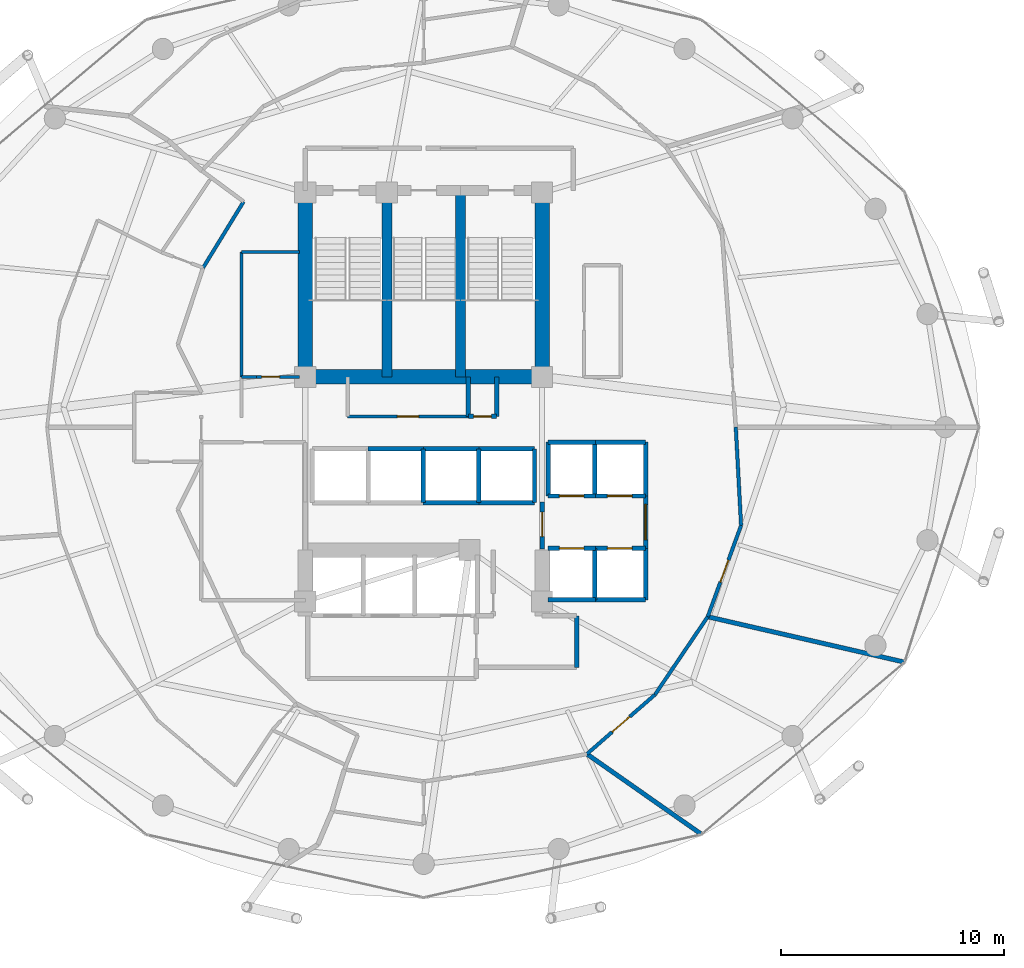
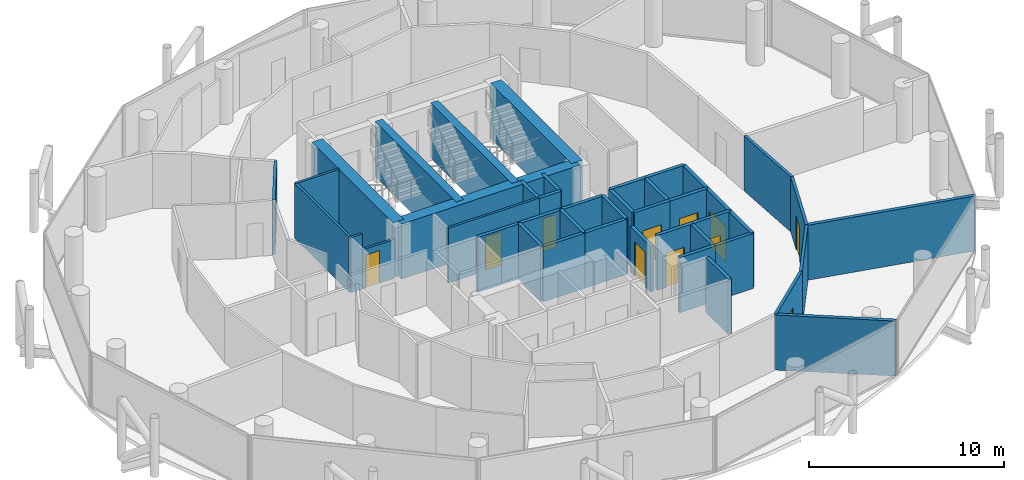
# One storey, part 23 of 26: 44 walls, 11 doors, 11 openings.
"""IFC4 building model written with IfcOpenShell, lengths in metres."""

from ifc_helpers import new_model, si_unit, direction, frame, frame_2d, origin, place, context, subcontext, project, spatial, rectangle, extrude, material, layer, layer_set, type_object, element, fill, save


model = new_model("IFC4")

# Units and contexts
model_context = context("Model", 3, precision=1e-05, world=origin(), true_north=direction((0.0, 1.0)))
body_context = subcontext(model_context, "Body", "Model", "MODEL_VIEW")
ifc_project = project(units=[si_unit("LENGTHUNIT", "METRE"), si_unit("AREAUNIT", "SQUARE_METRE"), si_unit("VOLUMEUNIT", "CUBIC_METRE"), si_unit("PLANEANGLEUNIT", "RADIAN"), si_unit("MASSUNIT", "GRAM", prefix="KILO")], contexts=[model_context])

# Site, building, storey
site_placement = place(None, origin())
site = spatial("IfcSite", under=ifc_project, at=site_placement, CompositionType="ELEMENT")
building_placement = place(site_placement, origin())
building = spatial("IfcBuilding", under=site, at=building_placement, Name="Nuhasar Tower", CompositionType="ELEMENT")
storey_placement = place(building_placement, frame((0.0, 0.0, 151.550048828125)))
storey = spatial("IfcBuildingStorey", under=building, at=storey_placement, Name="L36", CompositionType="ELEMENT", Elevation=151.550048828125)

# Walls
ifc_material_1 = material(Name="Concrete C50/60", Category="concrete")
ifc_layer_1 = layer(ifc_material_1, 0.449951171875)
ifc_layer_set_1 = layer_set([ifc_layer_1], Name="Concrete C50/60")
wall_type_1 = type_object("IfcWallType", Name="WL-CORE-450", PredefinedType="SHEAR", material=ifc_layer_set_1)
for number, where, z_axis, x_axis, name in (
    (1, (37.35009765625, 29.050048828125, 0.0), (0.0, 0.0, 1.0), (0.0, 1.0, 0.0), "L36 Stairwell Shear Wall ST01-E"),
    (2, (40.64990234375, 29.050048828125, 0.0), (0.0, 0.0, 1.0), (0.0, 1.0, 0.0), "L36 Stairwell Shear Wall ST03-E"),
):
    element("IfcWall", number, at=place(storey_placement, frame(where, z_axis=z_axis, x_axis=x_axis)), inside=storey, type_object=wall_type_1, Name=name, PredefinedType="SHEAR", context=body_context, shape_type="SweptSolid", body=[
        extrude(rectangle(XDim=8.349853515625, YDim=0.449951171875, at=frame_2d((4.1748046875, 0.0))), origin(), (0.0, 0.0, 1.0), 3.449951171875),
    ])
ifc_material_2 = material(Name="Concrete C65/80", Category="concrete")
ifc_layer_2 = layer(ifc_material_2, 0.64990234375)
ifc_layer_set_2 = layer_set([ifc_layer_2], Name="Concrete C65/80")
wall_type_2 = type_object("IfcWallType", Name="WL-CORE-650", PredefinedType="SHEAR", material=ifc_layer_set_2)
for number, where, z_axis, x_axis, name in (
    (3, (33.699951171875, 29.050048828125, 0.0), (0.0, 0.0, 1.0), (0.0, 1.0, 0.0), "L36 Core Shear Wall CW-NW CW-650"),
    (4, (44.300048828125, 29.050048828125, 0.0), (0.0, 0.0, 1.0), (0.0, 1.0, 0.0), "L36 Core Shear Wall CW-NE CW-650"),
):
    element("IfcWall", number, at=place(storey_placement, frame(where, z_axis=z_axis, x_axis=x_axis)), inside=storey, type_object=wall_type_2, Name=name, PredefinedType="SHEAR", context=body_context, shape_type="SweptSolid", body=[
        extrude(rectangle(XDim=8.349853515625, YDim=0.64990234375, at=frame_2d((4.1748046875, 0.0))), origin(), (0.0, 0.0, 1.0), 3.449951171875),
    ])
wall_1_placement = place(storey_placement, frame((33.699951171875, 29.050048828125, 0.0), z_axis=(0.0, 0.0, 1.0), x_axis=(1.0, 0.0, 0.0)))
element("IfcWall", 5, at=wall_1_placement, inside=storey, type_object=wall_type_2, Name="L36 Core Shear Wall CW-N1 CW-650", PredefinedType="SHEAR", context=body_context, shape_type="SweptSolid", body=[
    extrude(rectangle(XDim=10.60009765625, YDim=0.64990234375, at=frame_2d((5.300048828125, 0.0))), origin(), (0.0, 0.0, 1.0), 3.449951171875),
])

# Wall, opening, door
ifc_material_3 = material(Name="Gypsum Board", Category="gypsum")
ifc_layer_3 = layer(ifc_material_3, 0.159912109375)
ifc_layer_set_3 = layer_set([ifc_layer_3], Name="Gypsum Board")
wall_type_3 = type_object("IfcWallType", Name="WL-CORR-160", PredefinedType="PARTITIONING", material=ifc_layer_set_3)
wall_2_placement = place(storey_placement, frame((49.35595703125, 14.8291015625, 0.0), z_axis=(0.0, 0.0, 1.0), x_axis=(-0.753648555006, -0.657277609186, 0.0)))
wall_2 = element("IfcWall", 6, at=wall_2_placement, inside=storey, type_object=wall_type_3, Name="L36 Interior Partition CORR-40", PredefinedType="PARTITIONING", context=body_context, shape_type="SweptSolid", body=[
    extrude(rectangle(XDim=4.045654296875, YDim=0.159912109375, at=frame_2d((2.02294921875, 0.0))), origin(), (0.0, 0.0, 1.0), 3.449951171875),
])
opening_1_placement = place(wall_2_placement, frame((1.498046875, 0.0, 0.0)))
opening_1 = element("IfcOpeningElement", 7, at=opening_1_placement, cuts=wall_2, Name="Opening DU-01", PredefinedType="OPENING", context=body_context, shape_type="SweptSolid", body=[
    extrude(rectangle(XDim=1.050048828125, YDim=2.14990234375, at=frame_2d((0.52490234375, 1.074951171875))), frame((0.0, 0.08984375, 0.0), z_axis=(0.0, -1.0, 0.0), x_axis=(1.0, 0.0, 0.0)), (0.0, 0.0, 1.0), 0.179931640625),
])
ifc_material_4 = material(Name="Timber Oak", Category="wood")
door_type_1 = type_object("IfcDoorType", Name="DR-SUITE-FD60-1050", OperationType="NOTDEFINED", PredefinedType="DOOR", material=ifc_material_4)
door_1_placement = place(opening_1_placement, origin())
door_1 = element("IfcDoor", 8, at=door_1_placement, inside=storey, type_object=door_type_1, Name="L36 Longevity Spa Treatment Clinic 1 Entrance Door", OperationType="SINGLE_SWING_LEFT", OverallHeight=2.14990234375, OverallWidth=1.050048828125, PredefinedType="DOOR", context=body_context, shape_type="SweptSolid", body=[
    extrude(rectangle(XDim=1.050048828125, YDim=2.14990234375, at=frame_2d((0.52490234375, 1.074951171875))), frame((0.0, 0.02490234375, 0.0), z_axis=(0.0, -1.0, 0.0), x_axis=(1.0, 0.0, 0.0)), (0.0, 0.0, 1.0), 0.050048828125),
])
fill(opening_1, door_1)

# Wall
wall_3_placement = place(storey_placement, frame((49.35595703125, 14.8291015625, 0.0), z_axis=(0.0, 0.0, 1.0), x_axis=(0.560323414083, 0.828273910992, 0.0)))
element("IfcWall", 9, at=wall_3_placement, inside=storey, type_object=wall_type_3, Name="L36 Interior Partition CORR-42", PredefinedType="PARTITIONING", context=body_context, shape_type="SweptSolid", body=[
    extrude(rectangle(XDim=4.20849609375, YDim=0.159912109375, at=frame_2d((2.104248046875, 0.0))), origin(), (0.0, 0.0, 1.0), 3.449951171875),
])

# Wall, opening, door
wall_4_placement = place(storey_placement, frame((53.2080078125, 22.39892578125, 0.0), z_axis=(0.0, 0.0, 1.0), x_axis=(-0.343532016379, -0.939140965842, 0.0)))
wall_4 = element("IfcWall", 10, at=wall_4_placement, inside=storey, type_object=wall_type_3, Name="L36 Interior Partition CORR-44", PredefinedType="PARTITIONING", context=body_context, shape_type="SweptSolid", body=[
    extrude(rectangle(XDim=4.3486328125, YDim=0.159912109375, at=frame_2d((2.17431640625, 0.0))), origin(), (0.0, 0.0, 1.0), 3.449951171875),
])
opening_2_placement = place(wall_4_placement, frame((1.64892578125, 0.0, 0.0)))
opening_2 = element("IfcOpeningElement", 11, at=opening_2_placement, cuts=wall_4, Name="Opening DU-01", PredefinedType="OPENING", context=body_context, shape_type="SweptSolid", body=[
    extrude(rectangle(XDim=1.050048828125, YDim=2.14990234375, at=frame_2d((0.52490234375, 1.074951171875))), frame((0.0, 0.08984375, 0.0), z_axis=(0.0, -1.0, 0.0), x_axis=(1.0, 0.0, 0.0)), (0.0, 0.0, 1.0), 0.179931640625),
])
door_2_placement = place(opening_2_placement, origin())
door_2 = element("IfcDoor", 12, at=door_2_placement, inside=storey, type_object=door_type_1, Name="L36 Hydrotherapy Consult Clinic 2 Entrance Door", OperationType="SINGLE_SWING_LEFT", OverallHeight=2.14990234375, OverallWidth=1.050048828125, PredefinedType="DOOR", context=body_context, shape_type="SweptSolid", body=[
    extrude(rectangle(XDim=1.050048828125, YDim=2.14990234375, at=frame_2d((0.52490234375, 1.074951171875))), frame((0.0, 0.02490234375, 0.0), z_axis=(0.0, -1.0, 0.0), x_axis=(1.0, 0.0, 0.0)), (0.0, 0.0, 1.0), 0.050048828125),
])
fill(opening_2, door_2)

# Walls
wall_5_placement = place(storey_placement, frame((53.2080078125, 22.39892578125, 0.0), z_axis=(0.0, 0.0, 1.0), x_axis=(-0.054006604754, 0.998540578366, 0.0)))
element("IfcWall", 13, at=wall_5_placement, inside=storey, type_object=wall_type_3, Name="L36 Interior Partition CORR-46", PredefinedType="PARTITIONING", context=body_context, shape_type="SweptSolid", body=[
    extrude(rectangle(XDim=4.407470703125, YDim=0.159912109375, at=frame_2d((2.20361328125, 0.0))), origin(), (0.0, 0.0, 1.0), 3.449951171875),
])
wall_6_placement = place(storey_placement, frame((30.93896484375, 36.89697265625, 0.0), z_axis=(0.0, 0.0, 1.0), x_axis=(-0.522486120877, -0.852647789823, 0.0)))
element("IfcWall", 14, at=wall_6_placement, inside=storey, type_object=wall_type_3, Name="L36 Interior Partition HWEST-CORE-N-18", PredefinedType="PARTITIONING", context=body_context, shape_type="SweptSolid", body=[
    extrude(rectangle(XDim=3.468017578125, YDim=0.159912109375, at=frame_2d((1.73388671875, 0.0))), origin(), (0.0, 0.0, 1.0), 3.449951171875),
])

# Wall, opening, door
ifc_material_5 = material(Name="Concrete C45/55", Category="concrete")
ifc_layer_4 = layer(ifc_material_5, 0.199951171875)
ifc_layer_set_4 = layer_set([ifc_layer_4], Name="Concrete C45/55")
wall_type_4 = type_object("IfcWallType", Name="WL-LOBBY-200", PredefinedType="SOLIDWALL", material=ifc_layer_set_4)
wall_7_placement = place(storey_placement, frame((48.929931640625, 21.3798828125, 0.0), z_axis=(0.0, 0.0, 1.0), x_axis=(0.0, 1.0, 0.0)))
wall_7 = element("IfcWall", 15, at=wall_7_placement, inside=storey, type_object=wall_type_4, Name="L36 Interior Partition LLBM-E", PredefinedType="SOLIDWALL", context=body_context, shape_type="SweptSolid", body=[
    extrude(rectangle(XDim=2.340087890625, YDim=0.199951171875, at=frame_2d((1.169921875, 0.0))), origin(), (0.0, 0.0, 1.0), 3.449951171875),
])
opening_3_placement = place(wall_7_placement, frame((0.3701171875, 0.0, 0.0)))
opening_3 = element("IfcOpeningElement", 16, at=opening_3_placement, cuts=wall_7, Name="Opening DC-01", PredefinedType="OPENING", context=body_context, shape_type="SweptSolid", body=[
    extrude(rectangle(XDim=1.60009765625, YDim=2.199951171875, at=frame_2d((0.800048828125, 1.10009765625))), frame((0.0, 0.10986328125, 0.0), z_axis=(0.0, -1.0, 0.0), x_axis=(1.0, 0.0, 0.0)), (0.0, 0.0, 1.0), 0.219970703125),
])
ifc_material_6 = material(Name="Steel S355", Category="steel")
door_type_2 = type_object("IfcDoorType", Name="DR-CORR-FD60-1600", OperationType="DOUBLE_DOOR_SINGLE_SWING", PredefinedType="DOOR", material=ifc_material_6)
door_3_placement = place(opening_3_placement, origin())
door_3 = element("IfcDoor", 17, at=door_3_placement, inside=storey, type_object=door_type_2, Name="L36 Mid-Rise Lift Lobby East Entry", OperationType="DOUBLE_DOOR_SINGLE_SWING", OverallHeight=2.199951171875, OverallWidth=1.60009765625, PredefinedType="DOOR", context=body_context, shape_type="SweptSolid", body=[
    extrude(rectangle(XDim=1.60009765625, YDim=2.199951171875, at=frame_2d((0.800048828125, 1.10009765625))), frame((0.0, 0.02490234375, 0.0), z_axis=(0.0, -1.0, 0.0), x_axis=(1.0, 0.0, 0.0)), (0.0, 0.0, 1.0), 0.050048828125),
])
fill(opening_3, door_3)

wall_8_placement = place(storey_placement, frame((44.300048828125, 21.35009765625, 0.0), z_axis=(0.0, 0.0, 1.0), x_axis=(0.0, 1.0, 0.0)))
wall_8 = element("IfcWall", 18, at=wall_8_placement, inside=storey, type_object=wall_type_4, Name="L36 Interior Partition LLBH-E", PredefinedType="SOLIDWALL", context=body_context, shape_type="SweptSolid", body=[
    extrude(rectangle(XDim=2.099853515625, YDim=0.199951171875, at=frame_2d((1.0498046875, 0.0))), origin(), (0.0, 0.0, 1.0), 2.8349609375),
])
opening_4_placement = place(wall_8_placement, frame((0.550048828125, 0.0, 0.0)))
opening_4 = element("IfcOpeningElement", 19, at=opening_4_placement, cuts=wall_8, Name="Opening DS-02", PredefinedType="OPENING", context=body_context, shape_type="SweptSolid", body=[
    extrude(rectangle(XDim=1.10009765625, YDim=2.14990234375, at=frame_2d((0.550048828125, 1.074951171875))), frame((0.0, 0.10986328125, 0.0), z_axis=(0.0, -1.0, 0.0), x_axis=(1.0, 0.0, 0.0)), (0.0, 0.0, 1.0), 0.219970703125),
])
door_type_3 = type_object("IfcDoorType", Name="DR-FFL-FD120-1100", OperationType="NOTDEFINED", PredefinedType="DOOR", material=ifc_material_6)
door_4_placement = place(opening_4_placement, origin())
door_4 = element("IfcDoor", 20, at=door_4_placement, inside=storey, type_object=door_type_3, Name="L36 High-Rise Lobby East Door", OperationType="SINGLE_SWING_RIGHT", OverallHeight=2.14990234375, OverallWidth=1.10009765625, PredefinedType="DOOR", context=body_context, shape_type="SweptSolid", body=[
    extrude(rectangle(XDim=1.10009765625, YDim=2.14990234375, at=frame_2d((0.550048828125, 1.074951171875))), frame((0.0, 0.02490234375, 0.0), z_axis=(0.0, -1.0, 0.0), x_axis=(1.0, 0.0, 0.0)), (0.0, 0.0, 1.0), 0.050048828125),
])
fill(opening_4, door_4)

# Walls
wall_9_placement = place(storey_placement, frame((45.85009765625, 16.050048828125, 0.0), z_axis=(0.0, 0.0, 1.0), x_axis=(0.0, 1.0, 0.0)))
element("IfcWall", 21, at=wall_9_placement, inside=storey, type_object=wall_type_4, Name="L36 Interior Partition SVLV-E", PredefinedType="SOLIDWALL", context=body_context, shape_type="SweptSolid", body=[
    extrude(rectangle(XDim=2.300048828125, YDim=0.199951171875, at=frame_2d((1.14990234375, 0.0))), origin(), (0.0, 0.0, 1.0), 3.449951171875),
])
ifc_layer_5 = layer(ifc_material_5, 0.199951171875)
ifc_layer_set_5 = layer_set([ifc_layer_5], Name="Concrete C45/55")
wall_type_5 = type_object("IfcWallType", Name="WL-SHAFT-200", PredefinedType="SOLIDWALL", material=ifc_layer_set_5)
for number, where, z_axis, x_axis, name in (
    (22, (41.0, 27.280029296875, 0.0), (0.0, 0.0, 1.0), (0.0, 1.0, 0.0), "L36 Interior Partition RSRN-W"),
    (23, (42.260009765625, 27.280029296875, 0.0), (0.0, 0.0, 1.0), (0.0, 1.0, 0.0), "L36 Interior Partition RSRN-E"),
):
    element("IfcWall", number, at=place(storey_placement, frame(where, z_axis=z_axis, x_axis=x_axis)), inside=storey, type_object=wall_type_5, Name=name, PredefinedType="SOLIDWALL", context=body_context, shape_type="SweptSolid", body=[
        extrude(rectangle(XDim=1.77001953125, YDim=0.199951171875, at=frame_2d((0.885009765625, 0.0))), origin(), (0.0, 0.0, 1.0), 3.449951171875),
    ])

# Wall, opening, door
wall_10_placement = place(storey_placement, frame((41.0, 27.280029296875, 0.0), z_axis=(0.0, 0.0, 1.0), x_axis=(1.0, 0.0, 0.0)))
wall_10 = element("IfcWall", 24, at=wall_10_placement, inside=storey, type_object=wall_type_5, Name="L36 Interior Partition RSRN-S", PredefinedType="SOLIDWALL", context=body_context, shape_type="SweptSolid", body=[
    extrude(rectangle(XDim=1.260009765625, YDim=0.199951171875, at=frame_2d((0.6298828125, 0.0))), origin(), (0.0, 0.0, 1.0), 3.449951171875),
])
opening_5_placement = place(wall_10_placement, frame((0.22998046875, 0.0, 0.0)))
opening_5 = element("IfcOpeningElement", 25, at=opening_5_placement, cuts=wall_10, Name="Opening DM-01", PredefinedType="OPENING", context=body_context, shape_type="SweptSolid", body=[
    extrude(rectangle(XDim=0.800048828125, YDim=2.050048828125, at=frame_2d((0.39990234375, 1.02490234375))), frame((0.0, 0.10986328125, 0.0), z_axis=(0.0, -1.0, 0.0), x_axis=(1.0, 0.0, 0.0)), (0.0, 0.0, 1.0), 0.219970703125),
])
door_type_4 = type_object("IfcDoorType", Name="DR-RISER-FD60-800", OperationType="NOTDEFINED", PredefinedType="DOOR", material=ifc_material_6)
door_5_placement = place(opening_5_placement, origin())
door_5 = element("IfcDoor", 26, at=door_5_placement, inside=storey, type_object=door_type_4, Name="L36 North Smoke Riser Door", OperationType="SINGLE_SWING_RIGHT", OverallHeight=2.050048828125, OverallWidth=0.800048828125, PredefinedType="DOOR", context=body_context, shape_type="SweptSolid", body=[
    extrude(rectangle(XDim=0.800048828125, YDim=2.050048828125, at=frame_2d((0.39990234375, 1.02490234375))), frame((0.0, 0.02490234375, 0.0), z_axis=(0.0, -1.0, 0.0), x_axis=(1.0, 0.0, 0.0)), (0.0, 0.0, 1.0), 0.050048828125),
])
fill(opening_5, door_5)

wall_11_placement = place(storey_placement, frame((44.570068359375, 23.719970703125, 0.0), z_axis=(0.0, 0.0, 1.0), x_axis=(1.0, 0.0, 0.0)))
wall_11 = element("IfcWall", 27, at=wall_11_placement, inside=storey, type_object=wall_type_5, Name="L36 Interior Partition SHF-PL-M01-S", PredefinedType="SOLIDWALL", context=body_context, shape_type="SweptSolid", body=[
    extrude(rectangle(XDim=2.10986328125, YDim=0.199951171875, at=frame_2d((1.054931640625, 0.0))), origin(), (0.0, 0.0, 1.0), 3.449951171875),
])
opening_6_placement = place(wall_11_placement, frame((0.5048828125, 0.0, 0.0)))
opening_6 = element("IfcOpeningElement", 28, at=opening_6_placement, cuts=wall_11, Name="Opening LD-M01", PredefinedType="OPENING", context=body_context, shape_type="SweptSolid", body=[
    extrude(rectangle(XDim=1.10009765625, YDim=2.14990234375, at=frame_2d((0.550048828125, 1.074951171875))), frame((0.0, 0.10986328125, 0.0), z_axis=(0.0, -1.0, 0.0), x_axis=(1.0, 0.0, 0.0)), (0.0, 0.0, 1.0), 0.219970703125),
])
ifc_material_7 = material(Name="Stainless Steel 316L", Category="steel")
door_type_5 = type_object("IfcDoorType", Name="LD-PAX-1100", OperationType="DOUBLE_DOOR_SLIDING", PredefinedType="DOOR", material=ifc_material_7)
door_6_placement = place(opening_6_placement, origin())
door_6 = element("IfcDoor", 29, at=door_6_placement, inside=storey, type_object=door_type_5, Name="L36 Lift Landing Door PL-M01", OperationType="DOUBLE_DOOR_SLIDING", OverallHeight=2.14990234375, OverallWidth=1.10009765625, PredefinedType="DOOR", context=body_context, shape_type="SweptSolid", body=[
    extrude(rectangle(XDim=1.10009765625, YDim=2.14990234375, at=frame_2d((0.550048828125, 1.074951171875))), frame((0.0, 0.02490234375, 0.0), z_axis=(0.0, -1.0, 0.0), x_axis=(1.0, 0.0, 0.0)), (0.0, 0.0, 1.0), 0.050048828125),
])
fill(opening_6, door_6)

# Walls
wall_12_placement = place(storey_placement, frame((44.570068359375, 26.1298828125, 0.0), z_axis=(0.0, 0.0, 1.0), x_axis=(1.0, 0.0, 0.0)))
element("IfcWall", 30, at=wall_12_placement, inside=storey, type_object=wall_type_5, Name="L36 Interior Partition SHF-PL-M01-N", PredefinedType="SOLIDWALL", context=body_context, shape_type="SweptSolid", body=[
    extrude(rectangle(XDim=2.10986328125, YDim=0.199951171875, at=frame_2d((1.054931640625, 0.0))), origin(), (0.0, 0.0, 1.0), 3.449951171875),
])
for number, where, z_axis, x_axis, name in (
    (31, (44.570068359375, 23.719970703125, 0.0), (0.0, 0.0, 1.0), (0.0, 1.0, 0.0), "L36 Interior Partition SHF-PL-M01-W"),
    (32, (46.64990234375, 23.719970703125, 0.0), (0.0, 0.0, 1.0), (0.0, 1.0, 0.0), "L36 Interior Partition SHF-PL-M01-E"),
):
    element("IfcWall", number, at=place(storey_placement, frame(where, z_axis=z_axis, x_axis=x_axis)), inside=storey, type_object=wall_type_5, Name=name, PredefinedType="SOLIDWALL", context=body_context, shape_type="SweptSolid", body=[
        extrude(rectangle(XDim=2.409912109375, YDim=0.199951171875, at=frame_2d((1.205078125, 0.0))), origin(), (0.0, 0.0, 1.0), 3.449951171875),
    ])

# Wall, opening, door
wall_13_placement = place(storey_placement, frame((46.6201171875, 23.719970703125, 0.0), z_axis=(0.0, 0.0, 1.0), x_axis=(1.0, 0.0, 0.0)))
wall_13 = element("IfcWall", 33, at=wall_13_placement, inside=storey, type_object=wall_type_5, Name="L36 Interior Partition SHF-PL-M02-S", PredefinedType="SOLIDWALL", context=body_context, shape_type="SweptSolid", body=[
    extrude(rectangle(XDim=2.309814453125, YDim=0.199951171875, at=frame_2d((1.15478515625, 0.0))), origin(), (0.0, 0.0, 1.0), 3.449951171875),
])
opening_7_placement = place(wall_13_placement, frame((0.60498046875, 0.0, 0.0)))
opening_7 = element("IfcOpeningElement", 34, at=opening_7_placement, cuts=wall_13, Name="Opening LD-M02", PredefinedType="OPENING", context=body_context, shape_type="SweptSolid", body=[
    extrude(rectangle(XDim=1.10009765625, YDim=2.14990234375, at=frame_2d((0.550048828125, 1.074951171875))), frame((0.0, 0.10986328125, 0.0), z_axis=(0.0, -1.0, 0.0), x_axis=(1.0, 0.0, 0.0)), (0.0, 0.0, 1.0), 0.219970703125),
])
door_7_placement = place(opening_7_placement, origin())
door_7 = element("IfcDoor", 35, at=door_7_placement, inside=storey, type_object=door_type_5, Name="L36 Lift Landing Door PL-M02", OperationType="DOUBLE_DOOR_SLIDING", OverallHeight=2.14990234375, OverallWidth=1.10009765625, PredefinedType="DOOR", context=body_context, shape_type="SweptSolid", body=[
    extrude(rectangle(XDim=1.10009765625, YDim=2.14990234375, at=frame_2d((0.550048828125, 1.074951171875))), frame((0.0, 0.02490234375, 0.0), z_axis=(0.0, -1.0, 0.0), x_axis=(1.0, 0.0, 0.0)), (0.0, 0.0, 1.0), 0.050048828125),
])
fill(opening_7, door_7)

# Walls
wall_14_placement = place(storey_placement, frame((46.6201171875, 26.1298828125, 0.0), z_axis=(0.0, 0.0, 1.0), x_axis=(1.0, 0.0, 0.0)))
element("IfcWall", 36, at=wall_14_placement, inside=storey, type_object=wall_type_5, Name="L36 Interior Partition SHF-PL-M02-N", PredefinedType="SOLIDWALL", context=body_context, shape_type="SweptSolid", body=[
    extrude(rectangle(XDim=2.309814453125, YDim=0.199951171875, at=frame_2d((1.15478515625, 0.0))), origin(), (0.0, 0.0, 1.0), 3.449951171875),
])
wall_15_placement = place(storey_placement, frame((48.929931640625, 23.719970703125, 0.0), z_axis=(0.0, 0.0, 1.0), x_axis=(0.0, 1.0, 0.0)))
element("IfcWall", 37, at=wall_15_placement, inside=storey, type_object=wall_type_5, Name="L36 Interior Partition SHF-PL-M02-E", PredefinedType="SOLIDWALL", context=body_context, shape_type="SweptSolid", body=[
    extrude(rectangle(XDim=2.409912109375, YDim=0.199951171875, at=frame_2d((1.205078125, 0.0))), origin(), (0.0, 0.0, 1.0), 3.449951171875),
])
wall_16_placement = place(storey_placement, frame((44.570068359375, 19.070068359375, 0.0), z_axis=(0.0, 0.0, 1.0), x_axis=(1.0, 0.0, 0.0)))
element("IfcWall", 38, at=wall_16_placement, inside=storey, type_object=wall_type_5, Name="L36 Interior Partition SHF-PL-M03-S", PredefinedType="SOLIDWALL", context=body_context, shape_type="SweptSolid", body=[
    extrude(rectangle(XDim=2.10986328125, YDim=0.199951171875, at=frame_2d((1.054931640625, 0.0))), origin(), (0.0, 0.0, 1.0), 3.449951171875),
])

# Wall, opening, door
wall_17_placement = place(storey_placement, frame((44.570068359375, 21.3798828125, 0.0), z_axis=(0.0, 0.0, 1.0), x_axis=(1.0, 0.0, 0.0)))
wall_17 = element("IfcWall", 39, at=wall_17_placement, inside=storey, type_object=wall_type_5, Name="L36 Interior Partition SHF-PL-M03-N", PredefinedType="SOLIDWALL", context=body_context, shape_type="SweptSolid", body=[
    extrude(rectangle(XDim=2.10986328125, YDim=0.199951171875, at=frame_2d((1.054931640625, 0.0))), origin(), (0.0, 0.0, 1.0), 3.449951171875),
])
opening_8_placement = place(wall_17_placement, frame((0.5048828125, 0.0, 0.0)))
opening_8 = element("IfcOpeningElement", 40, at=opening_8_placement, cuts=wall_17, Name="Opening LD-M03", PredefinedType="OPENING", context=body_context, shape_type="SweptSolid", body=[
    extrude(rectangle(XDim=1.10009765625, YDim=2.14990234375, at=frame_2d((0.550048828125, 1.074951171875))), frame((0.0, 0.10986328125, 0.0), z_axis=(0.0, -1.0, 0.0), x_axis=(1.0, 0.0, 0.0)), (0.0, 0.0, 1.0), 0.219970703125),
])
door_8_placement = place(opening_8_placement, origin())
door_8 = element("IfcDoor", 41, at=door_8_placement, inside=storey, type_object=door_type_5, Name="L36 Lift Landing Door PL-M03", OperationType="DOUBLE_DOOR_SLIDING", OverallHeight=2.14990234375, OverallWidth=1.10009765625, PredefinedType="DOOR", context=body_context, shape_type="SweptSolid", body=[
    extrude(rectangle(XDim=1.10009765625, YDim=2.14990234375, at=frame_2d((0.550048828125, 1.074951171875))), frame((0.0, 0.02490234375, 0.0), z_axis=(0.0, -1.0, 0.0), x_axis=(1.0, 0.0, 0.0)), (0.0, 0.0, 1.0), 0.050048828125),
])
fill(opening_8, door_8)

# Walls
for number, where, z_axis, x_axis, name in (
    (42, (46.64990234375, 19.070068359375, 0.0), (0.0, 0.0, 1.0), (0.0, 1.0, 0.0), "L36 Interior Partition SHF-PL-M03-E"),
    (43, (46.6201171875, 19.070068359375, 0.0), (0.0, 0.0, 1.0), (1.0, 0.0, 0.0), "L36 Interior Partition SHF-PL-M04-S"),
):
    element("IfcWall", number, at=place(storey_placement, frame(where, z_axis=z_axis, x_axis=x_axis)), inside=storey, type_object=wall_type_5, Name=name, PredefinedType="SOLIDWALL", context=body_context, shape_type="SweptSolid", body=[
        extrude(rectangle(XDim=2.309814453125, YDim=0.199951171875, at=frame_2d((1.15478515625, 0.0))), origin(), (0.0, 0.0, 1.0), 3.449951171875),
    ])

# Wall, opening, door
wall_18_placement = place(storey_placement, frame((46.6201171875, 21.3798828125, 0.0), z_axis=(0.0, 0.0, 1.0), x_axis=(1.0, 0.0, 0.0)))
wall_18 = element("IfcWall", 44, at=wall_18_placement, inside=storey, type_object=wall_type_5, Name="L36 Interior Partition SHF-PL-M04-N", PredefinedType="SOLIDWALL", context=body_context, shape_type="SweptSolid", body=[
    extrude(rectangle(XDim=2.309814453125, YDim=0.199951171875, at=frame_2d((1.15478515625, 0.0))), origin(), (0.0, 0.0, 1.0), 3.449951171875),
])
opening_9_placement = place(wall_18_placement, frame((0.60498046875, 0.0, 0.0)))
opening_9 = element("IfcOpeningElement", 45, at=opening_9_placement, cuts=wall_18, Name="Opening LD-M04", PredefinedType="OPENING", context=body_context, shape_type="SweptSolid", body=[
    extrude(rectangle(XDim=1.10009765625, YDim=2.14990234375, at=frame_2d((0.550048828125, 1.074951171875))), frame((0.0, 0.10986328125, 0.0), z_axis=(0.0, -1.0, 0.0), x_axis=(1.0, 0.0, 0.0)), (0.0, 0.0, 1.0), 0.219970703125),
])
door_9_placement = place(opening_9_placement, origin())
door_9 = element("IfcDoor", 46, at=door_9_placement, inside=storey, type_object=door_type_5, Name="L36 Lift Landing Door PL-M04", OperationType="DOUBLE_DOOR_SLIDING", OverallHeight=2.14990234375, OverallWidth=1.10009765625, PredefinedType="DOOR", context=body_context, shape_type="SweptSolid", body=[
    extrude(rectangle(XDim=1.10009765625, YDim=2.14990234375, at=frame_2d((0.550048828125, 1.074951171875))), frame((0.0, 0.02490234375, 0.0), z_axis=(0.0, -1.0, 0.0), x_axis=(1.0, 0.0, 0.0)), (0.0, 0.0, 1.0), 0.050048828125),
])
fill(opening_9, door_9)

# Walls
wall_19_placement = place(storey_placement, frame((48.929931640625, 19.070068359375, 0.0), z_axis=(0.0, 0.0, 1.0), x_axis=(0.0, 1.0, 0.0)))
element("IfcWall", 47, at=wall_19_placement, inside=storey, type_object=wall_type_5, Name="L36 Interior Partition SHF-PL-M04-E", PredefinedType="SOLIDWALL", context=body_context, shape_type="SweptSolid", body=[
    extrude(rectangle(XDim=2.309814453125, YDim=0.199951171875, at=frame_2d((1.15478515625, 0.0))), origin(), (0.0, 0.0, 1.0), 3.449951171875),
])
wall_20_placement = place(storey_placement, frame((36.5, 25.830078125, 0.0), z_axis=(0.0, 0.0, 1.0), x_axis=(1.0, 0.0, 0.0)))
element("IfcWall", 48, at=wall_20_placement, inside=storey, type_object=wall_type_5, Name="L36 Interior Partition SHF-PL-H02-N", PredefinedType="SOLIDWALL", context=body_context, shape_type="SweptSolid", body=[
    extrude(rectangle(XDim=2.5, YDim=0.199951171875, at=frame_2d((1.25, 0.0))), origin(), (0.0, 0.0, 1.0), 3.449951171875),
])
wall_21_placement = place(storey_placement, frame((38.989990234375, 23.419921875, 0.0), z_axis=(0.0, 0.0, 1.0), x_axis=(0.0, 1.0, 0.0)))
element("IfcWall", 49, at=wall_21_placement, inside=storey, type_object=wall_type_5, Name="L36 Interior Partition SHF-PL-H02-E", PredefinedType="SOLIDWALL", context=body_context, shape_type="SweptSolid", body=[
    extrude(rectangle(XDim=2.41015625, YDim=0.199951171875, at=frame_2d((1.205078125, 0.0))), origin(), (0.0, 0.0, 1.0), 3.449951171875),
])
for number, where, z_axis, x_axis, name in (
    (50, (38.97998046875, 23.419921875, 0.0), (0.0, 0.0, 1.0), (1.0, 0.0, 0.0), "L36 Interior Partition SHF-PL-H03-S"),
    (51, (38.97998046875, 25.830078125, 0.0), (0.0, 0.0, 1.0), (1.0, 0.0, 0.0), "L36 Interior Partition SHF-PL-H03-N"),
):
    element("IfcWall", number, at=place(storey_placement, frame(where, z_axis=z_axis, x_axis=x_axis)), inside=storey, type_object=wall_type_5, Name=name, PredefinedType="SOLIDWALL", context=body_context, shape_type="SweptSolid", body=[
        extrude(rectangle(XDim=2.5, YDim=0.199951171875, at=frame_2d((1.25, 0.0))), origin(), (0.0, 0.0, 1.0), 3.449951171875),
    ])
wall_22_placement = place(storey_placement, frame((41.469970703125, 23.419921875, 0.0), z_axis=(0.0, 0.0, 1.0), x_axis=(0.0, 1.0, 0.0)))
element("IfcWall", 52, at=wall_22_placement, inside=storey, type_object=wall_type_5, Name="L36 Interior Partition SHF-PL-H03-E", PredefinedType="SOLIDWALL", context=body_context, shape_type="SweptSolid", body=[
    extrude(rectangle(XDim=2.41015625, YDim=0.199951171875, at=frame_2d((1.205078125, 0.0))), origin(), (0.0, 0.0, 1.0), 3.449951171875),
])
for number, where, z_axis, x_axis, name in (
    (53, (41.4599609375, 23.419921875, 0.0), (0.0, 0.0, 1.0), (1.0, 0.0, 0.0), "L36 Interior Partition SHF-PL-H04-S"),
    (54, (41.4599609375, 25.830078125, 0.0), (0.0, 0.0, 1.0), (1.0, 0.0, 0.0), "L36 Interior Partition SHF-PL-H04-N"),
):
    element("IfcWall", number, at=place(storey_placement, frame(where, z_axis=z_axis, x_axis=x_axis)), inside=storey, type_object=wall_type_5, Name=name, PredefinedType="SOLIDWALL", context=body_context, shape_type="SweptSolid", body=[
        extrude(rectangle(XDim=2.5, YDim=0.199951171875, at=frame_2d((1.25, 0.0))), origin(), (0.0, 0.0, 1.0), 3.449951171875),
    ])
wall_23_placement = place(storey_placement, frame((43.9599609375, 23.419921875, 0.0), z_axis=(0.0, 0.0, 1.0), x_axis=(0.0, 1.0, 0.0)))
element("IfcWall", 55, at=wall_23_placement, inside=storey, type_object=wall_type_5, Name="L36 Interior Partition SHF-PL-H04-E", PredefinedType="SOLIDWALL", context=body_context, shape_type="SweptSolid", body=[
    extrude(rectangle(XDim=2.41015625, YDim=0.199951171875, at=frame_2d((1.205078125, 0.0))), origin(), (0.0, 0.0, 1.0), 3.449951171875),
])
ifc_material_8 = material(Name="Concrete C40/50 precast", Category="concrete")
ifc_layer_6 = layer(ifc_material_8, 0.199951171875)
ifc_layer_set_6 = layer_set([ifc_layer_6], Name="Concrete C40/50 precast")
wall_type_6 = type_object("IfcWallType", Name="WL-UNIT-200", PredefinedType="PARTITIONING", material=ifc_layer_set_6)
wall_24_placement = place(storey_placement, frame((46.306884765625, 12.169921875, 0.0), z_axis=(0.0, 0.0, 1.0), x_axis=(0.81896509242, -0.573843338724, 0.0)))
element("IfcWall", 56, at=wall_24_placement, inside=storey, type_object=wall_type_6, Name="L36 Interior Partition HRAD-40", PredefinedType="PARTITIONING", context=body_context, shape_type="SweptSolid", body=[
    extrude(rectangle(XDim=6.23486328125, YDim=0.199951171875, at=frame_2d((3.117431640625, 0.0))), origin(), (0.0, 0.0, 1.0), 3.449951171875),
])
wall_25_placement = place(storey_placement, frame((51.714111328125, 18.31494140625, 0.0), z_axis=(0.0, 0.0, 1.0), x_axis=(0.974377958843, -0.224916858687, 0.0)))
element("IfcWall", 57, at=wall_25_placement, inside=storey, type_object=wall_type_6, Name="L36 Interior Partition HRAD-44", PredefinedType="PARTITIONING", context=body_context, shape_type="SweptSolid", body=[
    extrude(rectangle(XDim=9.015869140625, YDim=0.199951171875, at=frame_2d((4.5078125, 0.0))), origin(), (0.0, 0.0, 1.0), 3.449951171875),
])

# Wall, opening, door
ifc_layer_7 = layer(ifc_material_8, 0.139892578125)
ifc_layer_set_7 = layer_set([ifc_layer_7], Name="Concrete C40/50 precast")
wall_type_7 = type_object("IfcWallType", Name="WL-WET-140", PredefinedType="PARTITIONING", material=ifc_layer_set_7)
wall_26_placement = place(storey_placement, frame((35.60009765625, 27.280029296875, 0.0), z_axis=(0.0, 0.0, 1.0), x_axis=(1.0, 0.0, 0.0)))
wall_26 = element("IfcWall", 58, at=wall_26_placement, inside=storey, type_object=wall_type_7, Name="L36 Interior Partition CSVC-S", PredefinedType="PARTITIONING", context=body_context, shape_type="SweptSolid", body=[
    extrude(rectangle(XDim=5.39990234375, YDim=0.139892578125, at=frame_2d((2.699951171875, 0.0))), origin(), (0.0, 0.0, 1.0), 3.449951171875),
])
opening_10_placement = place(wall_26_placement, frame((2.22509765625, 0.0, 0.0)))
opening_10 = element("IfcOpeningElement", 59, at=opening_10_placement, cuts=wall_26, Name="Opening DA-01", PredefinedType="OPENING", context=body_context, shape_type="SweptSolid", body=[
    extrude(rectangle(XDim=0.949951171875, YDim=2.10009765625, at=frame_2d((0.47509765625, 1.050048828125))), frame((0.0, 0.080078125, 0.0), z_axis=(0.0, -1.0, 0.0), x_axis=(1.0, 0.0, 0.0)), (0.0, 0.0, 1.0), 0.159912109375),
])
door_type_6 = type_object("IfcDoorType", Name="DR-ACCWC-950", OperationType="NOTDEFINED", PredefinedType="DOOR", material=ifc_material_4)
door_10_placement = place(opening_10_placement, origin())
door_10 = element("IfcDoor", 60, at=door_10_placement, inside=storey, type_object=door_type_6, Name="L36 Core Accessible Restroom Door", OperationType="SINGLE_SWING_LEFT", OverallHeight=2.10009765625, OverallWidth=0.949951171875, PredefinedType="DOOR", context=body_context, shape_type="SweptSolid", body=[
    extrude(rectangle(XDim=0.949951171875, YDim=2.10009765625, at=frame_2d((0.47509765625, 1.050048828125))), frame((0.0, 0.02490234375, 0.0), z_axis=(0.0, -1.0, 0.0), x_axis=(1.0, 0.0, 0.0)), (0.0, 0.0, 1.0), 0.050048828125),
])
fill(opening_10, door_10)

# Wall
wall_27_placement = place(storey_placement, frame((30.85009765625, 29.050048828125, 0.0), z_axis=(0.0, 0.0, 1.0), x_axis=(1.0, 0.0, 0.0)))
element("IfcWall", 61, at=wall_27_placement, inside=storey, type_object=wall_type_7, Name="L36 Interior Partition K3-NW-S", PredefinedType="PARTITIONING", context=body_context, shape_type="SweptSolid", body=[
    extrude(rectangle(XDim=0.66796875, YDim=0.139892578125, at=frame_2d((0.333984375, 0.0))), origin(), (0.0, 0.0, 1.0), 3.449951171875),
])

# Wall, opening, door
wall_28_placement = place(storey_placement, frame((31.51806640625, 29.050048828125, 0.0), z_axis=(0.0, 0.0, 1.0), x_axis=(1.0, 0.0, 0.0)))
wall_28 = element("IfcWall", 62, at=wall_28_placement, inside=storey, type_object=wall_type_7, Name="L36 Interior Partition K3-NW-S", PredefinedType="PARTITIONING", context=body_context, shape_type="SweptSolid", body=[
    extrude(rectangle(XDim=1.931884765625, YDim=0.139892578125, at=frame_2d((0.9658203125, 0.0))), origin(), (0.0, 0.0, 1.0), 2.43994140625),
])
opening_11_placement = place(wall_28_placement, frame((0.23193359375, 0.0, 0.0)))
opening_11 = element("IfcOpeningElement", 63, at=opening_11_placement, cuts=wall_28, Name="Opening DM-01", PredefinedType="OPENING", context=body_context, shape_type="SweptSolid", body=[
    extrude(rectangle(XDim=0.800048828125, YDim=2.050048828125, at=frame_2d((0.39990234375, 1.02490234375))), frame((0.0, 0.080078125, 0.0), z_axis=(0.0, -1.0, 0.0), x_axis=(1.0, 0.0, 0.0)), (0.0, 0.0, 1.0), 0.159912109375),
])
door_11_placement = place(opening_11_placement, origin())
door_11 = element("IfcDoor", 64, at=door_11_placement, inside=storey, type_object=door_type_4, Name="L36 NW Electrical Room Door", OperationType="SINGLE_SWING_LEFT", OverallHeight=2.050048828125, OverallWidth=0.800048828125, PredefinedType="DOOR", context=body_context, shape_type="SweptSolid", body=[
    extrude(rectangle(XDim=0.800048828125, YDim=2.050048828125, at=frame_2d((0.39990234375, 1.02490234375))), frame((0.0, 0.02490234375, 0.0), z_axis=(0.0, -1.0, 0.0), x_axis=(1.0, 0.0, 0.0)), (0.0, 0.0, 1.0), 0.050048828125),
])
fill(opening_11, door_11)

# Walls
wall_29_placement = place(storey_placement, frame((30.85009765625, 34.64990234375, 0.0), z_axis=(0.0, 0.0, 1.0), x_axis=(1.0, 0.0, 0.0)))
element("IfcWall", 65, at=wall_29_placement, inside=storey, type_object=wall_type_7, Name="L36 Interior Partition K3-NW-N", PredefinedType="PARTITIONING", context=body_context, shape_type="SweptSolid", body=[
    extrude(rectangle(XDim=2.599853515625, YDim=0.139892578125, at=frame_2d((1.2998046875, 0.0))), origin(), (0.0, 0.0, 1.0), 3.449951171875),
])
wall_30_placement = place(storey_placement, frame((30.85009765625, 29.050048828125, 0.0), z_axis=(0.0, 0.0, 1.0), x_axis=(0.0, 1.0, 0.0)))
element("IfcWall", 66, at=wall_30_placement, inside=storey, type_object=wall_type_7, Name="L36 Interior Partition K3-NW-W", PredefinedType="PARTITIONING", context=body_context, shape_type="SweptSolid", body=[
    extrude(rectangle(XDim=5.599853515625, YDim=0.139892578125, at=frame_2d((2.7998046875, 0.0))), origin(), (0.0, 0.0, 1.0), 3.449951171875),
])

save(model, "model.ifc")
